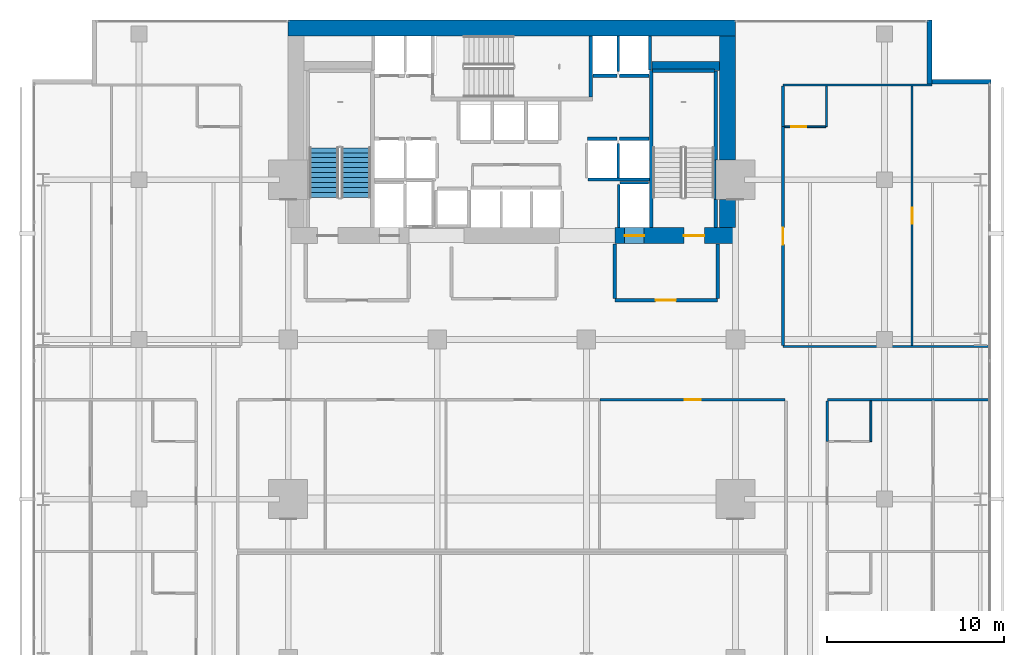
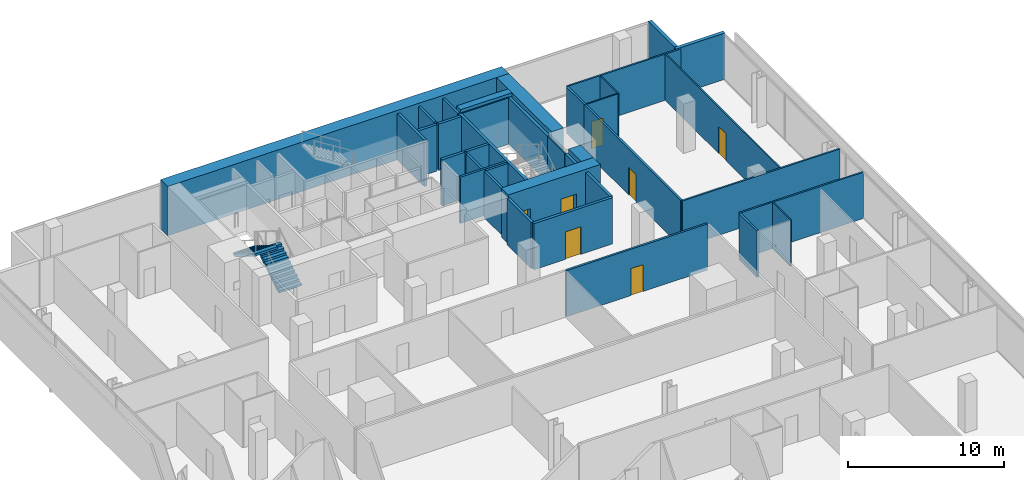
# One storey, part 36 of 39: 37 walls, 7 doors, 2 stair flights, 7 openings, 1 element without a shape of its own.
"""IFC4 building model written with IfcOpenShell, lengths in metres."""

from ifc_helpers import new_model, si_unit, direction, frame, frame_2d, origin, place, context, subcontext, project, spatial, polyline, rectangle, outline, extrude, material, layer, layer_set, type_object, element, fill, aggregate, save


model = new_model("IFC4")

# Units and contexts
model_context = context("Model", 3, precision=1e-05, world=origin(), true_north=direction((0.0, 1.0)))
body_context = subcontext(model_context, "Body", "Model", "MODEL_VIEW")
ifc_project = project(units=[si_unit("LENGTHUNIT", "METRE"), si_unit("AREAUNIT", "SQUARE_METRE"), si_unit("VOLUMEUNIT", "CUBIC_METRE"), si_unit("PLANEANGLEUNIT", "RADIAN"), si_unit("MASSUNIT", "GRAM", prefix="KILO")], contexts=[model_context])

# Site, building, storey
site_placement = place(None, origin())
site = spatial("IfcSite", under=ifc_project, at=site_placement, CompositionType="ELEMENT")
building_placement = place(site_placement, origin())
building = spatial("IfcBuilding", under=site, at=building_placement, Name="Maruvema Waterfront Hotel and Observation Tower", CompositionType="ELEMENT")
storey_placement = place(building_placement, frame((0.0, 0.0, 65.449951171875)))
storey = spatial("IfcBuildingStorey", under=building, at=storey_placement, Name="L15", CompositionType="ELEMENT", Elevation=65.449951171875)

# Wall, opening, door
ifc_material_1 = material(Name="Twin-stud acoustic gypsum drywall", Category="gypsum")
ifc_layer_1 = layer(ifc_material_1, 0.14990234375, Name="Acoustic Corridor and Suite Demising Wall 150 mm")
ifc_layer_set_1 = layer_set([ifc_layer_1], Name="Twin-stud acoustic gypsum drywall")
wall_type_1 = type_object("IfcWallType", Name="Acoustic Corridor and Suite Demising Wall 150 mm", PredefinedType="PARTITIONING", material=ifc_layer_set_1)
wall_1_placement = place(storey_placement, frame((42.77392578125, 32.60009765625, 0.0), z_axis=(0.0, 0.0, 1.0), x_axis=(1.0, 0.0, 0.0)))
wall_1 = element("IfcWall", 1, at=wall_1_placement, inside=storey, type_object=wall_type_1, Name="L15 L15-INTN Front 4 025", PredefinedType="PARTITIONING", context=body_context, shape_type="SweptSolid", body=[
    extrude(rectangle(XDim=10.416015625, YDim=0.14990234375, at=frame_2d((5.2080078125, 0.0))), origin(), (0.0, 0.0, 1.0), 3.610107421875),
])
opening_1_placement = place(wall_1_placement, frame((4.758056640625, 0.0, 0.0)))
opening_1 = element("IfcOpeningElement", 2, at=opening_1_placement, cuts=wall_1, Name="Opening DR-090", PredefinedType="OPENING", context=body_context, shape_type="SweptSolid", body=[
    extrude(rectangle(XDim=0.89990234375, YDim=2.10009765625, at=frame_2d((0.449951171875, 1.050048828125))), frame((0.0, 0.0849609375, 0.0), z_axis=(0.0, -1.0, 0.0), x_axis=(1.0, 0.0, 0.0)), (0.0, 0.0, 1.0), 0.169921875),
])
ifc_material_2 = material(Name="Solid-core lacquered timber leaf", Category="wood")
door_type_1 = type_object("IfcDoorType", Name="Accessible Toilet and Room Door 900x2100 mm", OperationType="NOTDEFINED", PredefinedType="DOOR", material=ifc_material_2)
door_1_placement = place(opening_1_placement, origin())
door_1 = element("IfcDoor", 3, at=door_1_placement, inside=storey, type_object=door_type_1, Name="L15 Private Study Office 3 Door", OperationType="SINGLE_SWING_LEFT", OverallHeight=2.10009765625, OverallWidth=0.89990234375, PredefinedType="DOOR", context=body_context, shape_type="SweptSolid", body=[
    extrude(rectangle(XDim=0.89990234375, YDim=2.10009765625, at=frame_2d((0.449951171875, 1.050048828125))), frame((0.0, 0.02490234375, 0.0), z_axis=(0.0, -1.0, 0.0), x_axis=(1.0, 0.0, 0.0)), (0.0, 0.0, 1.0), 0.050048828125),
])
fill(opening_1, door_1)

# Wall
wall_2_placement = place(storey_placement, frame((55.580078125, 30.25, 0.0), z_axis=(0.0, 0.0, 1.0), x_axis=(0.0, 1.0, 0.0)))
element("IfcWall", 4, at=wall_2_placement, inside=storey, type_object=wall_type_1, Name="L15 Bath L15-E2 Wall 076", PredefinedType="PARTITIONING", context=body_context, shape_type="SweptSolid", body=[
    extrude(rectangle(XDim=2.2900390625, YDim=0.14990234375, at=frame_2d((1.14501953125, 0.0))), origin(), (0.0, 0.0, 1.0), 3.610107421875),
])

# Wall, opening, door
wall_3_placement = place(storey_placement, frame((53.080078125, 35.659912109375, 0.0), z_axis=(0.0, 0.0, 1.0), x_axis=(0.0, 1.0, 0.0)))
wall_3 = element("IfcWall", 5, at=wall_3_placement, inside=storey, type_object=wall_type_1, Name="L15 Room L15-NE1 Corridor Wall 089", PredefinedType="PARTITIONING", context=body_context, shape_type="SweptSolid", body=[
    extrude(rectangle(XDim=12.32763671875, YDim=0.14990234375, at=frame_2d((6.163818359375, 0.0))), origin(), (0.0, 0.0, 1.0), 3.610107421875),
])
opening_2_placement = place(wall_3_placement, frame((5.688720703125, 0.0, 0.0)))
opening_2 = element("IfcOpeningElement", 6, at=opening_2_placement, cuts=wall_3, Name="Opening DR-095", PredefinedType="OPENING", context=body_context, shape_type="SweptSolid", body=[
    extrude(rectangle(XDim=0.949951171875, YDim=2.14990234375, at=frame_2d((0.47509765625, 1.074951171875))), frame((0.0, 0.0849609375, 0.0), z_axis=(0.0, -1.0, 0.0), x_axis=(1.0, 0.0, 0.0)), (0.0, 0.0, 1.0), 0.169921875),
])
ifc_material_3 = material(Name="Acoustic solid-core hardwood timber leaf", Category="wood")
door_type_2 = type_object("IfcDoorType", Name="Guestroom Entrance Fire Door 950x2150 mm", OperationType="NOTDEFINED", PredefinedType="DOOR", material=ifc_material_3)
door_2_placement = place(opening_2_placement, frame((0.949951171875, 0.0, 0.0), z_axis=(0.0, 0.0, 1.0), x_axis=(-1.0, 0.0, 0.0)))
door_2 = element("IfcDoor", 7, at=door_2_placement, inside=storey, type_object=door_type_2, Name="L15 Room L15-NE1 Entrance Door", OperationType="SINGLE_SWING_LEFT", OverallHeight=2.14990234375, OverallWidth=0.949951171875, PredefinedType="DOOR", context=body_context, shape_type="SweptSolid", body=[
    extrude(rectangle(XDim=0.949951171875, YDim=2.14990234375, at=frame_2d((0.47509765625, 1.074951171875))), frame((0.0, 0.02490234375, 0.0), z_axis=(0.0, -1.0, 0.0), x_axis=(1.0, 0.0, 0.0)), (0.0, 0.0, 1.0), 0.050048828125),
])
fill(opening_2, door_2)

# Walls
wall_4_placement = place(storey_placement, frame((53.080078125, 47.987548828125, 0.0), z_axis=(0.0, 0.0, 1.0), x_axis=(0.0, 1.0, 0.0)))
element("IfcWall", 8, at=wall_4_placement, inside=storey, type_object=wall_type_1, Name="L15 Bath L15-NE1 Wall 090", PredefinedType="PARTITIONING", context=body_context, shape_type="SweptSolid", body=[
    extrude(rectangle(XDim=2.2900390625, YDim=0.14990234375, at=frame_2d((1.14501953125, 0.0))), origin(), (0.0, 0.0, 1.0), 3.610107421875),
])
ifc_material_4 = material(Name="Precast concrete C45/55", Category="concrete")
ifc_layer_2 = layer(ifc_material_4, 0.199951171875, Name="Core Shaft and Stairwell Enclosure Wall 200 mm")
ifc_layer_set_2 = layer_set([ifc_layer_2], Name="Precast concrete C45/55")
wall_type_2 = type_object("IfcWallType", Name="Core Shaft and Stairwell Enclosure Wall 200 mm", PredefinedType="SOLIDWALL", material=ifc_layer_set_2)
wall_5_placement = place(storey_placement, frame((42.25, 49.64990234375, 0.0), z_axis=(0.0, 0.0, 1.0), x_axis=(0.0, 1.0, 0.0)))
element("IfcWall", 9, at=wall_5_placement, inside=storey, type_object=wall_type_2, Name="L15 Stairwell ST-02 Shaft Wall", PredefinedType="SOLIDWALL", context=body_context, shape_type="SweptSolid", body=[
    extrude(rectangle(XDim=3.4501953125, YDim=0.199951171875, at=frame_2d((1.72509765625, 0.0))), origin(), (0.0, 0.0, 1.0), 3.610107421875),
])
wall_6_placement = place(storey_placement, frame((45.64990234375, 42.300048828125, 0.0), z_axis=(0.0, 0.0, 1.0), x_axis=(0.0, 1.0, 0.0)))
element("IfcWall", 10, at=wall_6_placement, inside=storey, type_object=wall_type_2, Name="L15 Stairwell ST-03 West Shaft Wall", PredefinedType="SOLIDWALL", context=body_context, shape_type="SweptSolid", body=[
    extrude(rectangle(XDim=8.849853515625, YDim=0.199951171875, at=frame_2d((4.4248046875, 0.0))), origin(), (0.0, 0.0, 1.0), 3.610107421875),
])
wall_7_placement = place(storey_placement, frame((49.300048828125, 42.300048828125, 0.0), z_axis=(0.0, 0.0, 1.0), x_axis=(0.0, 1.0, 0.0)))
element("IfcWall", 11, at=wall_7_placement, inside=storey, type_object=wall_type_2, Name="L15 Stairwell ST-03 Shaft Lining Wall", PredefinedType="SOLIDWALL", context=body_context, shape_type="SweptSolid", body=[
    extrude(rectangle(XDim=1.579833984375, YDim=0.199951171875, at=frame_2d((0.7900390625, 0.0))), origin(), (0.0, 0.0, 1.0), 3.610107421875),
])
wall_8_placement = place(storey_placement, frame((49.300048828125, 46.1201171875, 0.0), z_axis=(0.0, 0.0, 1.0), x_axis=(0.0, 1.0, 0.0)))
element("IfcWall", 12, at=wall_8_placement, inside=storey, type_object=wall_type_2, Name="L15 Stairwell ST-03 Shaft Lining Wall", PredefinedType="SOLIDWALL", context=body_context, shape_type="SweptSolid", body=[
    extrude(rectangle(XDim=5.0, YDim=0.199951171875, at=frame_2d((2.5, 0.0))), origin(), (0.0, 0.0, 1.0), 3.610107421875),
])
wall_9_placement = place(storey_placement, frame((45.719970703125, 51.14990234375, 0.0), z_axis=(0.0, 0.0, 1.0), x_axis=(1.0, 0.0, 0.0)))
element("IfcWall", 13, at=wall_9_placement, inside=storey, type_object=wall_type_2, Name="L15 Stairwell ST-03 Shaft Lining Wall", PredefinedType="SOLIDWALL", context=body_context, shape_type="SweptSolid", body=[
    extrude(rectangle(XDim=3.5, YDim=0.199951171875, at=frame_2d((1.75, 0.0))), origin(), (0.0, 0.0, 1.0), 3.610107421875),
])
for number, where, z_axis, x_axis, name in (
    (14, (42.06005859375, 47.300048828125, 0.0), (0.0, 0.0, 1.0), (1.0, 0.0, 0.0), "L15 Lift LF-05 Hoistway Front Wall"),
    (15, (43.860107421875, 47.300048828125, 0.0), (0.0, 0.0, 1.0), (1.0, 0.0, 0.0), "L15 Lift LF-06 Hoistway Front Wall"),
):
    element("IfcWall", number, at=place(storey_placement, frame(where, z_axis=z_axis, x_axis=x_axis)), inside=storey, type_object=wall_type_2, Name=name, PredefinedType="SOLIDWALL", context=body_context, shape_type="SweptSolid", body=[
        extrude(rectangle(XDim=1.679931640625, YDim=0.199951171875, at=frame_2d((0.83984375, 0.0))), origin(), (0.0, 0.0, 1.0), 3.610107421875),
    ])
wall_10_placement = place(storey_placement, frame((42.360107421875, 50.85009765625, 0.0), z_axis=(0.0, 0.0, 1.0), x_axis=(1.0, 0.0, 0.0)))
element("IfcWall", 16, at=wall_10_placement, inside=storey, type_object=wall_type_2, Name="L15 Lift LF-07 Hoistway Front Wall", PredefinedType="SOLIDWALL", context=body_context, shape_type="SweptSolid", body=[
    extrude(rectangle(XDim=1.3798828125, YDim=0.199951171875, at=frame_2d((0.68994140625, 0.0))), origin(), (0.0, 0.0, 1.0), 3.610107421875),
])
wall_11_placement = place(storey_placement, frame((43.860107421875, 50.85009765625, 0.0), z_axis=(0.0, 0.0, 1.0), x_axis=(1.0, 0.0, 0.0)))
element("IfcWall", 17, at=wall_11_placement, inside=storey, type_object=wall_type_2, Name="L15 Lift LF-08 Hoistway Front Wall", PredefinedType="SOLIDWALL", context=body_context, shape_type="SweptSolid", body=[
    extrude(rectangle(XDim=1.679931640625, YDim=0.199951171875, at=frame_2d((0.83984375, 0.0))), origin(), (0.0, 0.0, 1.0), 3.610107421875),
])
ifc_material_5 = material(Name="Concrete C70/85", Category="concrete")
ifc_layer_3 = layer(ifc_material_5, 0.5, Name="Core Shear Wall 500 mm")
ifc_layer_set_3 = layer_set([ifc_layer_3], Name="Concrete C70/85")
wall_type_3 = type_object("IfcWallType", Name="Core Shear Wall 500 mm", PredefinedType="SHEAR", material=ifc_layer_set_3)
wall_12_placement = place(storey_placement, frame((45.699951171875, 51.39990234375, 0.0), z_axis=(0.0, 0.0, 1.0), x_axis=(1.0, 0.0, 0.0)))
element("IfcWall", 18, at=wall_12_placement, inside=storey, type_object=wall_type_3, Name="L15 Internal Core Shear Wall NE 500 mm", PredefinedType="SHEAR", context=body_context, shape_type="SweptSolid", body=[
    extrude(rectangle(XDim=3.800048828125, YDim=0.5, at=frame_2d((1.89990234375, 0.0))), origin(), (0.0, 0.0, 1.0), 3.85009765625),
])
ifc_material_6 = material(Name="Concrete C80/95", Category="concrete")
ifc_layer_4 = layer(ifc_material_6, 0.89990234375, Name="Core Shear Wall 900 mm")
ifc_layer_set_4 = layer_set([ifc_layer_4], Name="Concrete C80/95")
wall_type_4 = type_object("IfcWallType", Name="Core Shear Wall 900 mm", PredefinedType="SHEAR", material=ifc_layer_set_4)
wall_13_placement = place(storey_placement, frame((25.199951171875, 53.550048828125, 0.0), z_axis=(0.0, 0.0, 1.0), x_axis=(1.0, 0.0, 0.0)))
element("IfcWall", 19, at=wall_13_placement, inside=storey, type_object=wall_type_4, Name="L15 North Core Shear Wall", PredefinedType="SHEAR", context=body_context, shape_type="SweptSolid", body=[
    extrude(rectangle(XDim=25.199951171875, YDim=0.89990234375, at=frame_2d((12.60009765625, 0.0))), origin(), (0.0, 0.0, 1.0), 3.85009765625),
])

# Wall, openings, doors
wall_14_placement = place(storey_placement, frame((43.60009765625, 41.85009765625, 0.0), z_axis=(0.0, 0.0, 1.0), x_axis=(1.0, 0.0, 0.0)))
wall_14 = element("IfcWall", 20, at=wall_14_placement, inside=storey, type_object=wall_type_4, Name="L15 South-East Core Shear Wall", PredefinedType="SHEAR", context=body_context, shape_type="SweptSolid", body=[
    extrude(rectangle(XDim=6.7998046875, YDim=0.89990234375, at=frame_2d((3.39990234375, 0.0))), origin(), (0.0, 0.0, 1.0), 3.85009765625),
])
opening_3_placement = place(wall_14_placement, frame((3.89990234375, 0.0, 0.0)))
opening_3 = element("IfcOpeningElement", 21, at=opening_3_placement, cuts=wall_14, Name="Opening SD-01", PredefinedType="OPENING", context=body_context, shape_type="SweptSolid", body=[
    extrude(rectangle(XDim=1.14990234375, YDim=2.14990234375, at=frame_2d((0.574951171875, 1.074951171875))), frame((0.0, 0.4599609375, 0.0), z_axis=(0.0, -1.0, 0.0), x_axis=(1.0, 0.0, 0.0)), (0.0, 0.0, 1.0), 0.919921875),
])
opening_4_placement = place(wall_14_placement, frame((0.550048828125, 0.0, 0.0)))
opening_4 = element("IfcOpeningElement", 22, at=opening_4_placement, cuts=wall_14, Name="Opening LD-03", PredefinedType="OPENING", context=body_context, shape_type="SweptSolid", body=[
    extrude(rectangle(XDim=1.10009765625, YDim=2.199951171875, at=frame_2d((0.550048828125, 1.10009765625))), frame((0.0, 0.4599609375, 0.0), z_axis=(0.0, -1.0, 0.0), x_axis=(1.0, 0.0, 0.0)), (0.0, 0.0, 1.0), 0.919921875),
])
ifc_material_7 = material(Name="Fire-rated galvanised steel leaf", Category="steel")
door_type_3 = type_object("IfcDoorType", Name="Exit Stair Fire Door 1150x2150 mm", OperationType="NOTDEFINED", PredefinedType="DOOR", material=ifc_material_7)
door_3_placement = place(opening_3_placement, origin())
door_3 = element("IfcDoor", 23, at=door_3_placement, inside=storey, type_object=door_type_3, Name="L15 Exit Stair ST-03 Fire Door", OperationType="SINGLE_SWING_RIGHT", OverallHeight=2.14990234375, OverallWidth=1.14990234375, PredefinedType="DOOR", context=body_context, shape_type="SweptSolid", body=[
    extrude(rectangle(XDim=1.14990234375, YDim=2.14990234375, at=frame_2d((0.574951171875, 1.074951171875))), frame((0.0, 0.02490234375, 0.0), z_axis=(0.0, -1.0, 0.0), x_axis=(1.0, 0.0, 0.0)), (0.0, 0.0, 1.0), 0.050048828125),
])
fill(opening_3, door_3)
ifc_material_8 = material(Name="Brushed stainless steel Grade 316", Category="steel")
door_type_4 = type_object("IfcDoorType", Name="Firefighting Lift Sliding Landing Door 1100x2200 mm", OperationType="SLIDING_TO_LEFT", PredefinedType="DOOR", material=ifc_material_8)
door_4_placement = place(opening_4_placement, frame((1.10009765625, 0.0, 0.0), z_axis=(0.0, 0.0, 1.0), x_axis=(-1.0, 0.0, 0.0)))
door_4 = element("IfcDoor", 24, at=door_4_placement, inside=storey, type_object=door_type_4, Name="L15 Firefighting Lift FL-02 Landing Door", OperationType="SLIDING_TO_LEFT", OverallHeight=2.199951171875, OverallWidth=1.10009765625, PredefinedType="DOOR", context=body_context, shape_type="SweptSolid", body=[
    extrude(rectangle(XDim=1.10009765625, YDim=2.199951171875, at=frame_2d((0.550048828125, 1.10009765625))), frame((0.0, 0.02490234375, 0.0), z_axis=(0.0, -1.0, 0.0), x_axis=(1.0, 0.0, 0.0)), (0.0, 0.0, 1.0), 0.050048828125),
])
fill(opening_4, door_4)

# Walls
wall_15_placement = place(storey_placement, frame((49.949951171875, 42.300048828125, 0.0), z_axis=(0.0, 0.0, 1.0), x_axis=(0.0, 1.0, 0.0)))
element("IfcWall", 25, at=wall_15_placement, inside=storey, type_object=wall_type_4, Name="L15 East-South Core Shear Wall", PredefinedType="SHEAR", context=body_context, shape_type="SweptSolid", body=[
    extrude(rectangle(XDim=1.599853515625, YDim=0.89990234375, at=frame_2d((0.7998046875, 0.0))), origin(), (0.0, 0.0, 1.0), 3.85009765625),
])
wall_16_placement = place(storey_placement, frame((49.949951171875, 46.10009765625, 0.0), z_axis=(0.0, 0.0, 1.0), x_axis=(0.0, 1.0, 0.0)))
element("IfcWall", 26, at=wall_16_placement, inside=storey, type_object=wall_type_4, Name="L15 East-North Core Shear Wall", PredefinedType="SHEAR", context=body_context, shape_type="SweptSolid", body=[
    extrude(rectangle(XDim=7.0, YDim=0.89990234375, at=frame_2d((3.5, 0.0))), origin(), (0.0, 0.0, 1.0), 3.85009765625),
])
ifc_material_9 = material(Name="Moisture-resistant cement-board drywall", Category="gypsum")
ifc_layer_5 = layer(ifc_material_9, 0.10009765625, Name="En-Suite Moisture-Resistant Partition 100 mm")
ifc_layer_set_5 = layer_set([ifc_layer_5], Name="Moisture-resistant cement-board drywall")
wall_type_5 = type_object("IfcWallType", Name="En-Suite Moisture-Resistant Partition 100 mm", PredefinedType="PARTITIONING", material=ifc_layer_set_5)
for number, where, z_axis, x_axis, name in (
    (27, (58.030029296875, 30.25, 0.0), (0.0, 0.0, 1.0), (0.0, 1.0, 0.0), "L15 En-Suite L15-E2 E 077"),
    (28, (55.530029296875, 47.987548828125, 0.0), (0.0, 0.0, 1.0), (0.0, 1.0, 0.0), "L15 En-Suite L15-NE1 E 091"),
):
    element("IfcWall", number, at=place(storey_placement, frame(where, z_axis=z_axis, x_axis=x_axis)), inside=storey, type_object=wall_type_5, Name=name, PredefinedType="PARTITIONING", context=body_context, shape_type="SweptSolid", body=[
        extrude(rectangle(XDim=2.2900390625, YDim=0.10009765625, at=frame_2d((1.14501953125, 0.0))), origin(), (0.0, 0.0, 1.0), 3.610107421875),
    ])

# Wall, opening, door
wall_17_placement = place(storey_placement, frame((53.179931640625, 47.987548828125, 0.0), z_axis=(0.0, 0.0, 1.0), x_axis=(1.0, 0.0, 0.0)))
wall_17 = element("IfcWall", 29, at=wall_17_placement, inside=storey, type_object=wall_type_5, Name="L15 En-Suite L15-NE1 S 092", PredefinedType="PARTITIONING", context=body_context, shape_type="SweptSolid", body=[
    extrude(rectangle(XDim=2.300048828125, YDim=0.10009765625, at=frame_2d((1.14990234375, 0.0))), origin(), (0.0, 0.0, 1.0), 3.610107421875),
])
opening_5_placement = place(wall_17_placement, frame((0.35009765625, 0.0, 0.0)))
opening_5 = element("IfcOpeningElement", 30, at=opening_5_placement, cuts=wall_17, Name="Opening DR-085", PredefinedType="OPENING", context=body_context, shape_type="SweptSolid", body=[
    extrude(rectangle(XDim=0.85009765625, YDim=2.10009765625, at=frame_2d((0.425048828125, 1.050048828125))), frame((0.0, 0.06005859375, 0.0), z_axis=(0.0, -1.0, 0.0), x_axis=(1.0, 0.0, 0.0)), (0.0, 0.0, 1.0), 0.1201171875),
])
ifc_material_10 = material(Name="Moisture-resistant solid timber leaf", Category="wood")
door_type_5 = type_object("IfcDoorType", Name="En-Suite Bathroom Door 850x2100 mm", OperationType="NOTDEFINED", PredefinedType="DOOR", material=ifc_material_10)
door_5_placement = place(opening_5_placement, frame((0.85009765625, 0.0, 0.0), z_axis=(0.0, 0.0, 1.0), x_axis=(-1.0, 0.0, 0.0)))
door_5 = element("IfcDoor", 31, at=door_5_placement, inside=storey, type_object=door_type_5, Name="L15 En-Suite L15-NE1 Door", OperationType="SINGLE_SWING_RIGHT", OverallHeight=2.10009765625, OverallWidth=0.85009765625, PredefinedType="DOOR", context=body_context, shape_type="SweptSolid", body=[
    extrude(rectangle(XDim=0.85009765625, YDim=2.10009765625, at=frame_2d((0.425048828125, 1.050048828125))), frame((0.0, 0.02490234375, 0.0), z_axis=(0.0, -1.0, 0.0), x_axis=(1.0, 0.0, 0.0)), (0.0, 0.0, 1.0), 0.050048828125),
])
fill(opening_5, door_5)

wall_18_placement = place(storey_placement, frame((60.350341796875, 35.659912109375, 0.0), z_axis=(0.0, 0.0, 1.0), x_axis=(0.0, 1.0, 0.0)))
wall_18 = element("IfcWall", 32, at=wall_18_placement, inside=storey, type_object=wall_type_5, Name="L15 Suite L15-NE1 Split 093", PredefinedType="PARTITIONING", context=body_context, shape_type="SweptSolid", body=[
    extrude(rectangle(XDim=14.61767578125, YDim=0.10009765625, at=frame_2d((7.308837890625, 0.0))), origin(), (0.0, 0.0, 1.0), 3.610107421875),
])
opening_6_placement = place(wall_18_placement, frame((6.85888671875, 0.0, 0.0)))
opening_6 = element("IfcOpeningElement", 33, at=opening_6_placement, cuts=wall_18, Name="Opening DR-090", PredefinedType="OPENING", context=body_context, shape_type="SweptSolid", body=[
    extrude(rectangle(XDim=0.89990234375, YDim=2.10009765625, at=frame_2d((0.449951171875, 1.050048828125))), frame((0.0, 0.06005859375, 0.0), z_axis=(0.0, -1.0, 0.0), x_axis=(1.0, 0.0, 0.0)), (0.0, 0.0, 1.0), 0.1201171875),
])
door_6_placement = place(opening_6_placement, frame((0.89990234375, 0.0, 0.0), z_axis=(0.0, 0.0, 1.0), x_axis=(-1.0, 0.0, 0.0)))
door_6 = element("IfcDoor", 34, at=door_6_placement, inside=storey, type_object=door_type_1, Name="L15 Suite L15-NE1 Bedroom Door", OperationType="SINGLE_SWING_RIGHT", OverallHeight=2.10009765625, OverallWidth=0.89990234375, PredefinedType="DOOR", context=body_context, shape_type="SweptSolid", body=[
    extrude(rectangle(XDim=0.89990234375, YDim=2.10009765625, at=frame_2d((0.449951171875, 1.050048828125))), frame((0.0, 0.02490234375, 0.0), z_axis=(0.0, -1.0, 0.0), x_axis=(1.0, 0.0, 0.0)), (0.0, 0.0, 1.0), 0.050048828125),
])
fill(opening_6, door_6)

# Walls
ifc_material_11 = material(Name="Precast concrete C45/55 with honed Pernambuco granite facing", Category="masonry")
ifc_layer_6 = layer(ifc_material_11, 0.260009765625, Name="Exterior Granite Clad Spandrel and Pier Wall 260 mm")
ifc_layer_set_6 = layer_set([ifc_layer_6], Name="Precast concrete C45/55 with honed Pernambuco granite facing")
wall_type_6 = type_object("IfcWallType", Name="Exterior Granite Clad Spandrel and Pier Wall 260 mm", PredefinedType="SOLIDWALL", material=ifc_layer_set_6)
for number, where, z_axis, x_axis, name in (
    (35, (61.330078125, 54.0, 0.0), (0.0, 0.0, 1.0), (0.0, -1.0, 0.0), "L15 Corner Notch Granite Pier Wall NE1"),
    (36, (61.199951171875, 50.530029296875, 0.0), (0.0, 0.0, 1.0), (1.0, 0.0, 0.0), "L15 Corner Notch Granite Pier Wall NE2"),
):
    element("IfcWall", number, at=place(storey_placement, frame(where, z_axis=z_axis, x_axis=x_axis)), inside=storey, type_object=wall_type_6, Name=name, PredefinedType="SOLIDWALL", context=body_context, shape_type="SweptSolid", body=[
        extrude(rectangle(XDim=3.60009765625, YDim=0.260009765625, at=frame_2d((1.800048828125, 0.0))), origin(), (0.0, 0.0, 1.0), 3.610107421875),
    ])

# Wall, opening, door
ifc_material_12 = material(Name="Autoclaved cellular concrete blockwork", Category="masonry")
ifc_layer_7 = layer(ifc_material_12, 0.199951171875, Name="Fire Compartment Masonry Wall 200 mm")
ifc_layer_set_7 = layer_set([ifc_layer_7], Name="Autoclaved cellular concrete blockwork")
wall_type_7 = type_object("IfcWallType", Name="Fire Compartment Masonry Wall 200 mm", PredefinedType="PARTITIONING", material=ifc_layer_set_7)
wall_19_placement = place(storey_placement, frame((43.60009765625, 38.199951171875, 0.0), z_axis=(0.0, 0.0, 1.0), x_axis=(1.0, 0.0, 0.0)))
wall_19 = element("IfcWall", 37, at=wall_19_placement, inside=storey, type_object=wall_type_7, Name="L15 FFL East South Wall 004", PredefinedType="PARTITIONING", context=body_context, shape_type="SweptSolid", body=[
    extrude(rectangle(XDim=5.7998046875, YDim=0.199951171875, at=frame_2d((2.89990234375, 0.0))), origin(), (0.0, 0.0, 1.0), 3.610107421875),
])
opening_7_placement = place(wall_19_placement, frame((2.300048828125, 0.0, 0.0)))
opening_7 = element("IfcOpeningElement", 38, at=opening_7_placement, cuts=wall_19, Name="Opening FD-115", PredefinedType="OPENING", context=body_context, shape_type="SweptSolid", body=[
    extrude(rectangle(XDim=1.14990234375, YDim=2.14990234375, at=frame_2d((0.574951171875, 1.074951171875))), frame((0.0, 0.10986328125, 0.0), z_axis=(0.0, -1.0, 0.0), x_axis=(1.0, 0.0, 0.0)), (0.0, 0.0, 1.0), 0.219970703125),
])
ifc_material_13 = material(Name="Fire-rated galvanised steel and vision glass", Category="steel")
door_type_6 = type_object("IfcDoorType", Name="Firefighting Lobby Fire Door 1150x2150 mm", OperationType="NOTDEFINED", PredefinedType="DOOR", material=ifc_material_13)
door_7_placement = place(opening_7_placement, frame((1.14990234375, 0.0, 0.0), z_axis=(0.0, 0.0, 1.0), x_axis=(-1.0, 0.0, 0.0)))
door_7 = element("IfcDoor", 39, at=door_7_placement, inside=storey, type_object=door_type_6, Name="L15 Firefighting Lobby East Door", OperationType="SINGLE_SWING_RIGHT", OverallHeight=2.14990234375, OverallWidth=1.14990234375, PredefinedType="DOOR", context=body_context, shape_type="SweptSolid", body=[
    extrude(rectangle(XDim=1.14990234375, YDim=2.14990234375, at=frame_2d((0.574951171875, 1.074951171875))), frame((0.0, 0.02490234375, 0.0), z_axis=(0.0, -1.0, 0.0), x_axis=(1.0, 0.0, 0.0)), (0.0, 0.0, 1.0), 0.050048828125),
])
fill(opening_7, door_7)

# Walls
for number, where, z_axis, x_axis, name in (
    (40, (43.60009765625, 38.31005859375, 0.0), (0.0, 0.0, 1.0), (0.0, 1.0, 0.0), "L15 FFL East West Wall 005"),
    (41, (49.39990234375, 38.31005859375, 0.0), (0.0, 0.0, 1.0), (0.0, 1.0, 0.0), "L15 FFL East East Wall 006"),
):
    element("IfcWall", number, at=place(storey_placement, frame(where, z_axis=z_axis, x_axis=x_axis)), inside=storey, type_object=wall_type_7, Name=name, PredefinedType="PARTITIONING", context=body_context, shape_type="SweptSolid", body=[
        extrude(rectangle(XDim=3.06982421875, YDim=0.199951171875, at=frame_2d((1.534912109375, 0.0))), origin(), (0.0, 0.0, 1.0), 3.610107421875),
    ])
ifc_material_14 = material(Name="Acoustic gypsum plasterboard drywall", Category="gypsum")
ifc_layer_8 = layer(ifc_material_14, 0.125, Name="Guestroom Acoustic Demising Wall 125 mm")
ifc_layer_set_8 = layer_set([ifc_layer_8], Name="Acoustic gypsum plasterboard drywall")
wall_type_8 = type_object("IfcWallType", Name="Guestroom Acoustic Demising Wall 125 mm", PredefinedType="PARTITIONING", material=ifc_layer_set_8)
wall_20_placement = place(storey_placement, frame((55.580078125, 32.60009765625, 0.0), z_axis=(0.0, 0.0, 1.0), x_axis=(1.0, 0.0, 0.0)))
element("IfcWall", 42, at=wall_20_placement, inside=storey, type_object=wall_type_8, Name="L15 E Top End 057", PredefinedType="PARTITIONING", context=body_context, shape_type="SweptSolid", body=[
    extrude(rectangle(XDim=9.119873046875, YDim=0.125, at=frame_2d((4.56005859375, 0.0))), origin(), (0.0, 0.0, 1.0), 3.610107421875),
])
wall_21_placement = place(storey_placement, frame((53.080078125, 35.60009765625, 0.0), z_axis=(0.0, 0.0, 1.0), x_axis=(1.0, 0.0, 0.0)))
element("IfcWall", 43, at=wall_21_placement, inside=storey, type_object=wall_type_8, Name="L15 NE Bot End 081", PredefinedType="PARTITIONING", context=body_context, shape_type="SweptSolid", body=[
    extrude(rectangle(XDim=11.619873046875, YDim=0.125, at=frame_2d((5.81005859375, 0.0))), origin(), (0.0, 0.0, 1.0), 3.610107421875),
])
wall_22_placement = place(storey_placement, frame((53.080078125, 50.33740234375, 0.0), z_axis=(0.0, 0.0, 1.0), x_axis=(1.0, 0.0, 0.0)))
element("IfcWall", 44, at=wall_22_placement, inside=storey, type_object=wall_type_8, Name="L15 NE Top End 083", PredefinedType="PARTITIONING", context=body_context, shape_type="SweptSolid", body=[
    extrude(rectangle(XDim=8.3798828125, YDim=0.125, at=frame_2d((4.18994140625, 0.0))), origin(), (0.0, 0.0, 1.0), 3.610107421875),
])
ifc_material_15 = material(Name="Precast concrete C45/55", Category="concrete")
ifc_layer_9 = layer(ifc_material_15, 0.159912109375, Name="Lift Hoistway Divider Wall 160 mm")
ifc_layer_set_9 = layer_set([ifc_layer_9], Name="Precast concrete C45/55")
wall_type_9 = type_object("IfcWallType", Name="Lift Hoistway Divider Wall 160 mm", PredefinedType="SOLIDWALL", material=ifc_layer_set_9)
wall_23_placement = place(storey_placement, frame((43.89990234375, 44.830078125, 0.0), z_axis=(0.0, 0.0, 1.0), x_axis=(1.0, 0.0, 0.0)))
element("IfcWall", 45, at=wall_23_placement, inside=storey, type_object=wall_type_9, Name="L15 Lift FL-02 Rear Hoistway Wall", PredefinedType="SOLIDWALL", context=body_context, shape_type="SweptSolid", body=[
    extrude(rectangle(XDim=1.60009765625, YDim=0.159912109375, at=frame_2d((0.800048828125, 0.0))), origin(), (0.0, 0.0, 1.0), 3.610107421875),
])
wall_24_placement = place(storey_placement, frame((43.820068359375, 42.300048828125, 0.0), z_axis=(0.0, 0.0, 1.0), x_axis=(0.0, 1.0, 0.0)))
element("IfcWall", 46, at=wall_24_placement, inside=storey, type_object=wall_type_9, Name="L15 Lift FL-02 Inner Hoistway Wall", PredefinedType="SOLIDWALL", context=body_context, shape_type="SweptSolid", body=[
    extrude(rectangle(XDim=2.43994140625, YDim=0.159912109375, at=frame_2d((1.219970703125, 0.0))), origin(), (0.0, 0.0, 1.0), 3.610107421875),
])
wall_25_placement = place(storey_placement, frame((43.800048828125, 45.10009765625, 0.0), z_axis=(0.0, 0.0, 1.0), x_axis=(0.0, 1.0, 0.0)))
element("IfcWall", 47, at=wall_25_placement, inside=storey, type_object=wall_type_9, Name="L15 Hoistway Divider Wall", PredefinedType="SOLIDWALL", context=body_context, shape_type="SweptSolid", body=[
    extrude(rectangle(XDim=1.949951171875, YDim=0.159912109375, at=frame_2d((0.97509765625, 0.0))), origin(), (0.0, 0.0, 1.0), 3.610107421875),
])
wall_26_placement = place(storey_placement, frame((42.10009765625, 45.010009765625, 0.0), z_axis=(0.0, 0.0, 1.0), x_axis=(1.0, 0.0, 0.0)))
element("IfcWall", 48, at=wall_26_placement, inside=storey, type_object=wall_type_9, Name="L15 Hoistway Divider Wall", PredefinedType="SOLIDWALL", context=body_context, shape_type="SweptSolid", body=[
    extrude(rectangle(XDim=3.449951171875, YDim=0.159912109375, at=frame_2d((1.72509765625, 0.0))), origin(), (0.0, 0.0, 1.0), 3.610107421875),
])
wall_27_placement = place(storey_placement, frame((45.590087890625, 51.179931640625, 0.0), z_axis=(0.0, 0.0, 1.0), x_axis=(0.0, 1.0, 0.0)))
element("IfcWall", 49, at=wall_27_placement, inside=storey, type_object=wall_type_9, Name="L15 Hoistway Divider Wall", PredefinedType="SOLIDWALL", context=body_context, shape_type="SweptSolid", body=[
    extrude(rectangle(XDim=1.920166015625, YDim=0.159912109375, at=frame_2d((0.9599609375, 0.0))), origin(), (0.0, 0.0, 1.0), 3.610107421875),
])
wall_28_placement = place(storey_placement, frame((43.800048828125, 51.10009765625, 0.0), z_axis=(0.0, 0.0, 1.0), x_axis=(0.0, 1.0, 0.0)))
element("IfcWall", 50, at=wall_28_placement, inside=storey, type_object=wall_type_9, Name="L15 Hoistway Divider Wall", PredefinedType="SOLIDWALL", context=body_context, shape_type="SweptSolid", body=[
    extrude(rectangle(XDim=2.0, YDim=0.159912109375, at=frame_2d((1.0, 0.0))), origin(), (0.0, 0.0, 1.0), 3.610107421875),
])
ifc_material_16 = material(Name="Precast concrete C45/55", Category="concrete")
ifc_layer_10 = layer(ifc_material_16, 0.10009765625, Name="Stairwell Stringer Cheek Wall 100 mm")
ifc_layer_set_10 = layer_set([ifc_layer_10], Name="Precast concrete C45/55")
wall_type_10 = type_object("IfcWallType", Name="Stairwell Stringer Cheek Wall 100 mm", PredefinedType="SOLIDWALL", material=ifc_layer_set_10)
wall_29_placement = place(storey_placement, frame((49.248046875, 43.89990234375, 0.0), z_axis=(0.0, 0.0, 1.0), x_axis=(0.0, 1.0, 0.0)))
element("IfcWall", 51, at=wall_29_placement, inside=storey, type_object=wall_type_10, Name="L15 Stairwell ST-03 Mega-Column Cheek Wall", PredefinedType="SOLIDWALL", context=body_context, shape_type="SweptSolid", body=[
    extrude(rectangle(XDim=2.2001953125, YDim=0.10009765625, at=frame_2d((1.10009765625, 0.0))), origin(), (0.0, 0.0, 1.0), 3.610107421875),
])

# Stair, stair flights
ifc_material_17 = material(Name="Concrete C50/60", Category="concrete")
stair_type = type_object("IfcStairType", Name="Dogleg Exit Stair 1650 mm (22R x 175.0 mm)", PredefinedType="HALF_TURN_STAIR", material=ifc_material_17)
stair_placement = place(storey_placement, origin())
stair = element("IfcStair", 52, at=stair_placement, inside=storey, type_object=stair_type, Name="L15 ST-01", PredefinedType="HALF_TURN_STAIR")
ifc_material_18 = material(Name="Concrete C50/60", Category="concrete")
stair_flight_type = type_object("IfcStairFlightType", Name="Reinforced Concrete Stair Flight 1650 mm (11R x 175.0 mm)", PredefinedType="STRAIGHT", material=ifc_material_18)
stair_flight_1_placement = place(storey_placement, frame((29.02490234375, 44.0, 0.0), z_axis=(0.0, 0.0, 1.0), x_axis=(0.0, 1.0, 0.0)))
stair_flight_1 = element("IfcStairFlight", 53, at=stair_flight_1_placement, type_object=stair_flight_type, Name="ST-01 flight 1", NumberOfRisers=11, NumberOfTreads=10, PredefinedType="STRAIGHT", RiserHeight=0.175, TreadLength=0.28, context=body_context, shape_type="SweptSolid", body=[
    extrude(outline(polyline([(0.0, 0.0), (0.0, 0.175048828125), (0.280029296875, 0.175048828125), (0.280029296875, 0.35009765625), (0.56005859375, 0.35009765625), (0.56005859375, 0.52490234375), (0.840087890625, 0.52490234375), (0.840087890625, 0.699951171875), (1.1201171875, 0.699951171875), (1.1201171875, 0.875), (1.39990234375, 0.875), (1.39990234375, 1.050048828125), (1.679931640625, 1.050048828125), (1.679931640625, 1.22509765625), (1.9599609375, 1.22509765625), (1.9599609375, 1.39990234375), (2.239990234375, 1.39990234375), (2.239990234375, 1.574951171875), (2.52001953125, 1.574951171875), (2.52001953125, 1.75), (2.800048828125, 1.75), (2.800048828125, 1.925048828125), (2.800048828125, 1.5732421875), (0.28271484375, 0.0), (0.0, 0.0)])), frame((0.0, 0.824951171875, 0.0), z_axis=(0.0, -1.0, 0.0), x_axis=(1.0, 0.0, 0.0)), (0.0, 0.0, 1.0), 1.64990234375),
])
stair_flight_2_placement = place(storey_placement, frame((27.22509765625, 46.800048828125, 1.925048828125), z_axis=(0.0, 0.0, 1.0), x_axis=(0.0, -1.0, 0.0)))
stair_flight_2 = element("IfcStairFlight", 54, at=stair_flight_2_placement, type_object=stair_flight_type, Name="ST-01 flight 2", NumberOfRisers=11, NumberOfTreads=10, PredefinedType="STRAIGHT", RiserHeight=0.175, TreadLength=0.28, context=body_context, shape_type="SweptSolid", body=[
    extrude(outline(polyline([(0.0, 0.0), (0.0, 0.175048828125), (0.280029296875, 0.175048828125), (0.280029296875, 0.35009765625), (0.56005859375, 0.35009765625), (0.56005859375, 0.52490234375), (0.840087890625, 0.52490234375), (0.840087890625, 0.699951171875), (1.1201171875, 0.699951171875), (1.1201171875, 0.875), (1.39990234375, 0.875), (1.39990234375, 1.050048828125), (1.679931640625, 1.050048828125), (1.679931640625, 1.22509765625), (1.9599609375, 1.22509765625), (1.9599609375, 1.39990234375), (2.239990234375, 1.39990234375), (2.239990234375, 1.574951171875), (2.52001953125, 1.574951171875), (2.52001953125, 1.75), (2.800048828125, 1.75), (2.800048828125, 1.925048828125), (2.800048828125, 1.5732421875), (0.28271484375, 0.0), (0.0, 0.0)])), frame((0.0, 0.824951171875, 0.0), z_axis=(0.0, -1.0, 0.0), x_axis=(1.0, 0.0, 0.0)), (0.0, 0.0, 1.0), 1.64990234375),
])
aggregate(stair, [stair_flight_1, stair_flight_2])

save(model, "model.ifc")
